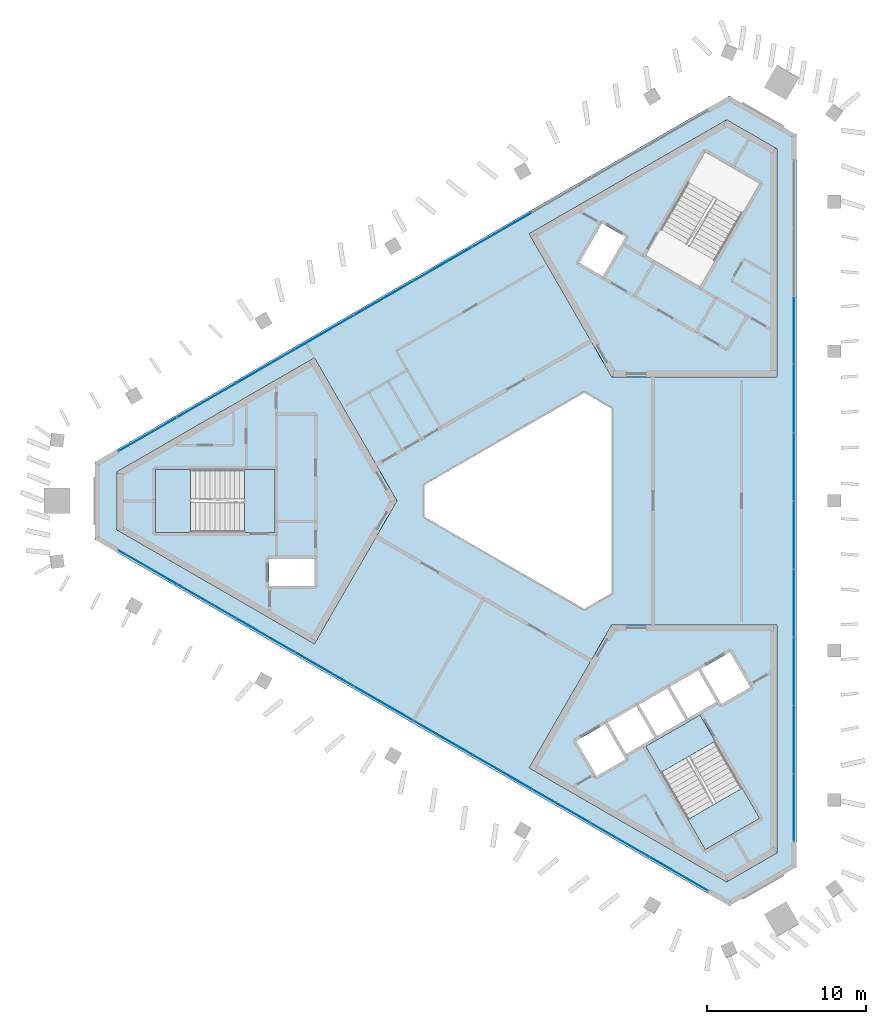
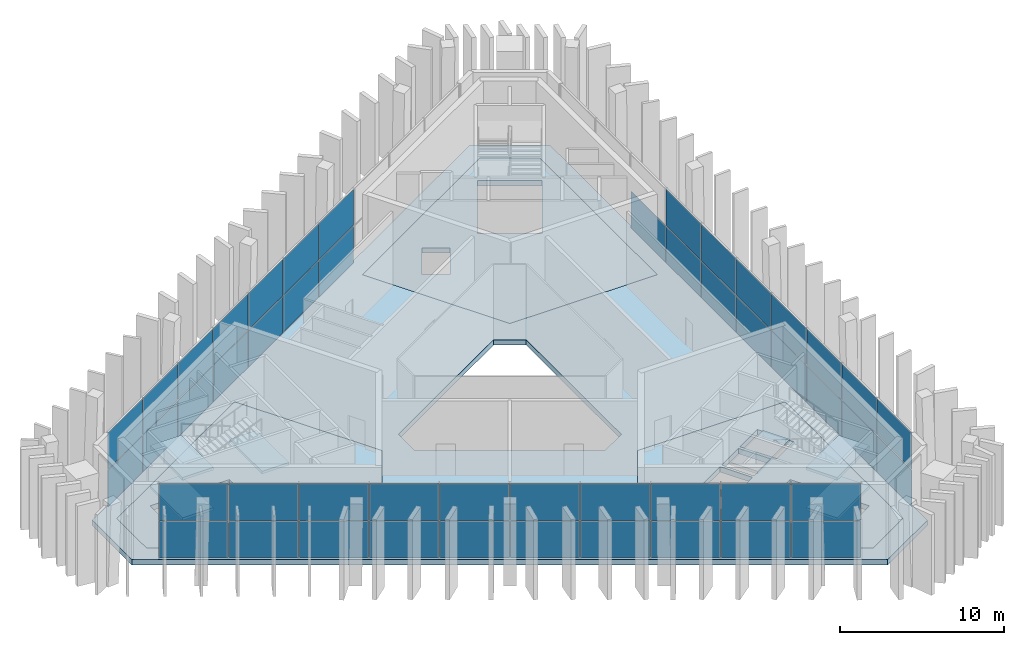
# One storey, part 6 of 12: 49 plates, 10 slabs, 5 elements without a shape of their own.
"""IFC4 building model written with IfcOpenShell, lengths in metres."""

import ifcopenshell
import ifcopenshell.guid

model = None  # the IFC model being written
_history = None  # IfcOwnerHistory: only IFC2X3 demands one
_inside = {}  # id of a spatial element -> (the spatial element, [elements in it])
_under = {}  # id of a project, library or spatial element -> (it, [spatial elements below it])
_declared = {}  # id of a project -> (the project, [libraries it declares])
_typed = {}  # id of a type object -> (the type object, [elements of that type])
_made_of = {}  # id of a material, layer set ... -> (it, [elements and type objects made of it])


def new_model(schema):
    """Start an empty IFC model of exactly this schema.

    Asked for "IFC4X3", IfcOpenShell would pick the latest addendum, in which some entities
    have other attributes; the version numbers below select the first issue.
    IFC2X3 requires an IfcOwnerHistory on every rooted entity: one is made here for all.
    """
    global model, _history
    if schema == "IFC4X3":
        model = ifcopenshell.file(schema_version=(4, 3, 0, 0))
    else:
        model = ifcopenshell.file(schema=schema)
    _inside.clear()
    _under.clear()
    _declared.clear()
    _typed.clear()
    _made_of.clear()
    _history = None
    if model.schema == "IFC2X3":
        org = make("IfcOrganization", Name="unknown")
        user = make(
            "IfcPersonAndOrganization",
            ThePerson=make("IfcPerson", FamilyName="unknown"),
            TheOrganization=org,
        )
        app = make(
            "IfcApplication",
            ApplicationDeveloper=org,
            Version="unknown",
            ApplicationFullName="unknown",
            ApplicationIdentifier="unknown",
        )
        _history = make(
            "IfcOwnerHistory",
            OwningUser=user,
            OwningApplication=app,
            ChangeAction="ADDED",
            CreationDate=0,
        )
    return model


def make(cls, **values):
    """One entity of the class cls with the attributes given. An attribute that is None is left unset."""
    return model.create_entity(
        cls, **{name: value for name, value in values.items() if value is not None}
    )


def rooted(cls, **values):
    """An entity with a GlobalId (a new one), such as an element, a storey or a relation."""
    return make(cls, GlobalId=ifcopenshell.guid.new(), OwnerHistory=_history, **values)


def si_unit(unit_type, name, prefix=None):
    """IfcSIUnit, for example si_unit("LENGTHUNIT", "METRE", prefix="MILLI")."""
    return make("IfcSIUnit", UnitType=unit_type, Prefix=prefix, Name=name)


def assignment(units):
    """IfcUnitAssignment: the units of a project."""
    return None if units is None else make("IfcUnitAssignment", Units=units)


def point(xyz):
    """IfcCartesianPoint."""
    return None if xyz is None else make("IfcCartesianPoint", Coordinates=xyz)


def direction(xyz):
    """IfcDirection."""
    return None if xyz is None else make("IfcDirection", DirectionRatios=xyz)


def frame(location, z_axis=None, x_axis=None):
    """IfcAxis2Placement3D, a coordinate frame: its origin and axes. An axis left out is left unset."""
    return make(
        "IfcAxis2Placement3D",
        Location=point(location),
        Axis=direction(z_axis),
        RefDirection=direction(x_axis),
    )


def frame_2d(location, x_axis=None):
    """IfcAxis2Placement2D, a coordinate frame in the plane: its origin and x axis."""
    return make(
        "IfcAxis2Placement2D", Location=point(location), RefDirection=direction(x_axis)
    )


def origin():
    """The frame at (0, 0, 0) with its axes left unset."""
    return frame((0.0, 0.0, 0.0))


def origin_2d():
    """The frame at (0, 0) in the plane with its x axis left unset."""
    return frame_2d((0.0, 0.0))


def place(relative_to, where):
    """IfcLocalPlacement: puts the frame where relative to a parent placement (None: the world)."""
    return make(
        "IfcLocalPlacement", PlacementRelTo=relative_to, RelativePlacement=where
    )


def context(
    kind, dimensions, precision=None, world=None, true_north=None, identifier=None
):
    """IfcGeometricRepresentationContext, for example the 3D "Model" context."""
    return make(
        "IfcGeometricRepresentationContext",
        ContextIdentifier=identifier,
        ContextType=kind,
        CoordinateSpaceDimension=dimensions,
        Precision=precision,
        WorldCoordinateSystem=world,
        TrueNorth=true_north,
    )


def subcontext(parent, identifier, kind, view, scale=None):
    """IfcGeometricRepresentationSubContext, for example "Body" below "Model"."""
    return make(
        "IfcGeometricRepresentationSubContext",
        ContextIdentifier=identifier,
        ContextType=kind,
        ParentContext=parent,
        TargetScale=scale,
        TargetView=view,
    )


def project(units=None, contexts=None):
    """IfcProject with its units and contexts."""
    return rooted(
        "IfcProject",
        Name="project",
        RepresentationContexts=contexts,
        UnitsInContext=assignment(units),
    )


def spatial(cls, under=None, at=None, **own):
    """A site, building, storey or space (cls), placed at a placement, below another one or the project."""
    s = rooted(cls, ObjectPlacement=at, **own)
    if under is not None:
        _under.setdefault(under.id(), (under, []))[1].append(s)
    return s


def polyline(points):
    """IfcPolyline through the points."""
    return make("IfcPolyline", Points=[point(p) for p in points])


def profile(cls, at=None, kind="AREA", **sizes):
    """A parametric profile (cls). Its sizes go by their IFC names, for example OverallWidth=200.0."""
    return make(cls, ProfileType=kind, Position=at, **sizes)


def rectangle(**sizes):
    """IfcRectangleProfileDef."""
    return profile("IfcRectangleProfileDef", **sizes)


def outline(outer, holes=None, kind="AREA"):
    """IfcArbitraryClosedProfileDef: a profile drawn as a closed curve; with holes, ...WithVoids."""
    if holes is None:
        return make("IfcArbitraryClosedProfileDef", ProfileType=kind, OuterCurve=outer)
    return make(
        "IfcArbitraryProfileDefWithVoids",
        ProfileType=kind,
        OuterCurve=outer,
        InnerCurves=holes,
    )


def extrude(swept, where, along, depth):
    """IfcExtrudedAreaSolid: the profile swept, set in the frame where, extruded along a direction by depth."""
    return make(
        "IfcExtrudedAreaSolid",
        SweptArea=swept,
        Position=where,
        ExtrudedDirection=direction(along),
        Depth=depth,
    )


def shape(context_of_items, identifier, shape_type, items):
    """IfcShapeRepresentation: the items that make up one representation, for example the "Body"."""
    return make(
        "IfcShapeRepresentation",
        ContextOfItems=context_of_items,
        RepresentationIdentifier=identifier,
        RepresentationType=shape_type,
        Items=items,
    )


def material(Name=None, Category=None):
    """IfcMaterial."""
    return make("IfcMaterial", Name=Name, Category=Category)


def layer(
    of_material, thickness, ventilated=None, Name=None, Category=None, Priority=None
):
    """IfcMaterialLayer: one layer of a wall or slab, of a material (None: an air gap)."""
    return make(
        "IfcMaterialLayer",
        Material=of_material,
        LayerThickness=thickness,
        IsVentilated=ventilated,
        Name=Name,
        Category=Category,
        Priority=Priority,
    )


def layer_set(layers, Name=None):
    """IfcMaterialLayerSet."""
    return make("IfcMaterialLayerSet", MaterialLayers=layers, LayerSetName=Name)


def made_of(thing, what):
    """Note that an element or type object is made of a material, layer set ...; save() writes the relation."""
    if what is not None:
        _made_of.setdefault(what.id(), (what, []))[1].append(thing)
    return thing


def type_object(cls, material=None, **own):
    """A type object (cls), such as IfcWallType, which elements share."""
    return made_of(rooted(cls, **own), material)


def element(
    cls,
    number,
    at=None,
    inside=None,
    cuts=None,
    type_object=None,
    material=None,
    context=None,
    identifier="Body",
    shape_type=None,
    held_by="IfcProductDefinitionShape",
    body=None,
    shapes=None,
    **own,
):
    """One element of the class cls, such as IfcWall. Its Tag is "e" and its number.

    at: its placement. inside: the storey or other place that contains it. cuts: it is an
    opening in that element (IfcRelVoidsElement). A single representation is given by context,
    identifier, shape_type and body (its items); several are given by shapes. held_by: the class
    of the entity that holds the representations. save() writes the other relations.
    """
    e = rooted(cls, Tag="e%d" % number, ObjectPlacement=at, **own)
    if body is not None:
        shapes = [shape(context, identifier, shape_type, body)]
    if shapes is not None:
        e.Representation = make(held_by, Representations=shapes)
    if inside is not None:
        _inside.setdefault(inside.id(), (inside, []))[1].append(e)
    if cuts is not None:
        rooted(
            "IfcRelVoidsElement", RelatingBuildingElement=cuts, RelatedOpeningElement=e
        )
    if type_object is not None:
        _typed.setdefault(type_object.id(), (type_object, []))[1].append(e)
    return made_of(e, material)


def aggregate(whole, parts):
    """IfcRelAggregates: a whole, such as a stair, and the parts it consists of."""
    return rooted("IfcRelAggregates", RelatingObject=whole, RelatedObjects=parts)


def save(model, path):
    """Write the relations noted so far, then the file.

    IfcRelAggregates (storeys below a building ...), IfcRelContainedInSpatialStructure (elements
    in a storey), IfcRelDefinesByType, IfcRelAssociatesMaterial and IfcRelDeclares: one each for
    every whole, place, type object, material and project.
    """
    for whole, parts in _under.values():
        aggregate(whole, parts)
    for where, things in _inside.values():
        rooted(
            "IfcRelContainedInSpatialStructure",
            RelatedElements=things,
            RelatingStructure=where,
        )
    for kind, things in _typed.values():
        rooted("IfcRelDefinesByType", RelatedObjects=things, RelatingType=kind)
    for what, things in _made_of.values():
        rooted("IfcRelAssociatesMaterial", RelatedObjects=things, RelatingMaterial=what)
    for by, libraries in _declared.values():
        rooted("IfcRelDeclares", RelatingContext=by, RelatedDefinitions=libraries)
    model.write(path)


model = new_model("IFC4")

# Units and contexts
model_context = context("Model", 3, precision=1e-05, world=origin(), true_north=direction((0.0, 1.0)))
body_context = subcontext(model_context, "Body", "Model", "MODEL_VIEW")
ifc_project = project(units=[si_unit("LENGTHUNIT", "METRE"), si_unit("AREAUNIT", "SQUARE_METRE"), si_unit("VOLUMEUNIT", "CUBIC_METRE"), si_unit("PLANEANGLEUNIT", "RADIAN"), si_unit("MASSUNIT", "GRAM", prefix="KILO")], contexts=[model_context])

# Site, building, storey
site_placement = place(None, origin())
site = spatial("IfcSite", under=ifc_project, at=site_placement, CompositionType="ELEMENT")
building_placement = place(site_placement, origin())
building = spatial("IfcBuilding", under=site, at=building_placement, Name="Jabali Bay Hotel Tower and Convention Centre", CompositionType="ELEMENT")
storey_placement = place(building_placement, frame((0.0, 0.0, 304.800048828125)))
storey = spatial("IfcBuildingStorey", under=building, at=storey_placement, Name="L75", CompositionType="ELEMENT", Elevation=304.800048828125)

# Curtain wall, plates
ifc_material_1 = material(Name="Aluminium and glass", Category="aluminium")
ifc_layer_1 = layer(ifc_material_1, 0.159912109375)
ifc_layer_set_1 = layer_set([ifc_layer_1], Name="Aluminium and glass")
curtain_wall_type = type_object("IfcCurtainWallType", Name="CW3 curtain wall", PredefinedType="NOTDEFINED", material=ifc_layer_set_1)
curtain_wall_1_placement = place(storey_placement, origin())
curtain_wall_1 = element("IfcCurtainWall", 1, at=curtain_wall_1_placement, inside=storey, type_object=curtain_wall_type, Name="CW3 curtain wall east face L75", PredefinedType="NOTDEFINED")
ifc_material_2 = material(Name="Glass", Category="glass")
ifc_layer_2 = layer(ifc_material_2, 0.028076171875)
ifc_layer_set_2 = layer_set([ifc_layer_2], Name="Glass")
plate_type = type_object("IfcPlateType", Name="CW3 glass panel 28", PredefinedType="CURTAIN_PANEL", material=ifc_layer_set_2)
plate_1_placement = place(storey_placement, frame((90.9521484375, 90.71875, 0.06005859375), z_axis=(0.0, 0.0, 1.0), x_axis=(0.0, -1.0, 0.0)))
plate_1 = element("IfcPlate", 2, at=plate_1_placement, type_object=plate_type, Name="CW3 panel 3.1", PredefinedType="CURTAIN_PANEL", context=body_context, shape_type="SweptSolid", body=[
    extrude(rectangle(XDim=4.2275390625, YDim=0.028076171875, at=origin_2d()), origin(), (0.0, 0.0, 1.0), 2.7099609375),
])
plate_2_placement = place(storey_placement, frame((90.9521484375, 86.431396484375, 0.06005859375), z_axis=(0.0, 0.0, 1.0), x_axis=(0.0, -1.0, 0.0)))
plate_2 = element("IfcPlate", 3, at=plate_2_placement, type_object=plate_type, Name="CW3 panel 4.1", PredefinedType="CURTAIN_PANEL", context=body_context, shape_type="SweptSolid", body=[
    extrude(rectangle(XDim=4.2275390625, YDim=0.028076171875, at=origin_2d()), origin(), (0.0, 0.0, 1.0), 2.7099609375),
])
plate_3_placement = place(storey_placement, frame((90.9521484375, 86.431396484375, 2.830078125), z_axis=(0.0, 0.0, 1.0), x_axis=(0.0, -1.0, 0.0)))
plate_3 = element("IfcPlate", 4, at=plate_3_placement, type_object=plate_type, Name="CW3 panel 4.2", PredefinedType="CURTAIN_PANEL", context=body_context, shape_type="SweptSolid", body=[
    extrude(rectangle(XDim=4.2275390625, YDim=0.028076171875, at=origin_2d()), origin(), (0.0, 0.0, 1.0), 2.7099609375),
])
plate_4_placement = place(storey_placement, frame((90.9521484375, 82.143798828125, 0.06005859375), z_axis=(0.0, 0.0, 1.0), x_axis=(0.0, -1.0, 0.0)))
plate_4 = element("IfcPlate", 5, at=plate_4_placement, type_object=plate_type, Name="CW3 panel 5.1", PredefinedType="CURTAIN_PANEL", context=body_context, shape_type="SweptSolid", body=[
    extrude(rectangle(XDim=4.2275390625, YDim=0.028076171875, at=origin_2d()), origin(), (0.0, 0.0, 1.0), 2.7099609375),
])
plate_5_placement = place(storey_placement, frame((90.9521484375, 82.143798828125, 2.830078125), z_axis=(0.0, 0.0, 1.0), x_axis=(0.0, -1.0, 0.0)))
plate_5 = element("IfcPlate", 6, at=plate_5_placement, type_object=plate_type, Name="CW3 panel 5.2", PredefinedType="CURTAIN_PANEL", context=body_context, shape_type="SweptSolid", body=[
    extrude(rectangle(XDim=4.2275390625, YDim=0.028076171875, at=origin_2d()), origin(), (0.0, 0.0, 1.0), 2.7099609375),
])
plate_6_placement = place(storey_placement, frame((90.9521484375, 77.856201171875, 0.06005859375), z_axis=(0.0, 0.0, 1.0), x_axis=(0.0, -1.0, 0.0)))
plate_6 = element("IfcPlate", 7, at=plate_6_placement, type_object=plate_type, Name="CW3 panel 6.1", PredefinedType="CURTAIN_PANEL", context=body_context, shape_type="SweptSolid", body=[
    extrude(rectangle(XDim=4.2275390625, YDim=0.028076171875, at=origin_2d()), origin(), (0.0, 0.0, 1.0), 2.7099609375),
])
plate_7_placement = place(storey_placement, frame((90.9521484375, 77.856201171875, 2.830078125), z_axis=(0.0, 0.0, 1.0), x_axis=(0.0, -1.0, 0.0)))
plate_7 = element("IfcPlate", 8, at=plate_7_placement, type_object=plate_type, Name="CW3 panel 6.2", PredefinedType="CURTAIN_PANEL", context=body_context, shape_type="SweptSolid", body=[
    extrude(rectangle(XDim=4.2275390625, YDim=0.028076171875, at=origin_2d()), origin(), (0.0, 0.0, 1.0), 2.7099609375),
])
plate_8_placement = place(storey_placement, frame((90.9521484375, 73.568603515625, 0.06005859375), z_axis=(0.0, 0.0, 1.0), x_axis=(0.0, -1.0, 0.0)))
plate_8 = element("IfcPlate", 9, at=plate_8_placement, type_object=plate_type, Name="CW3 panel 7.1", PredefinedType="CURTAIN_PANEL", context=body_context, shape_type="SweptSolid", body=[
    extrude(rectangle(XDim=4.2275390625, YDim=0.028076171875, at=origin_2d()), origin(), (0.0, 0.0, 1.0), 2.7099609375),
])
plate_9_placement = place(storey_placement, frame((90.9521484375, 73.568603515625, 2.830078125), z_axis=(0.0, 0.0, 1.0), x_axis=(0.0, -1.0, 0.0)))
plate_9 = element("IfcPlate", 10, at=plate_9_placement, type_object=plate_type, Name="CW3 panel 7.2", PredefinedType="CURTAIN_PANEL", context=body_context, shape_type="SweptSolid", body=[
    extrude(rectangle(XDim=4.2275390625, YDim=0.028076171875, at=origin_2d()), origin(), (0.0, 0.0, 1.0), 2.7099609375),
])
plate_10_placement = place(storey_placement, frame((90.9521484375, 69.28125, 0.06005859375), z_axis=(0.0, 0.0, 1.0), x_axis=(0.0, -1.0, 0.0)))
plate_10 = element("IfcPlate", 11, at=plate_10_placement, type_object=plate_type, Name="CW3 panel 8.1", PredefinedType="CURTAIN_PANEL", context=body_context, shape_type="SweptSolid", body=[
    extrude(rectangle(XDim=4.2275390625, YDim=0.028076171875, at=origin_2d()), origin(), (0.0, 0.0, 1.0), 2.7099609375),
])
plate_11_placement = place(storey_placement, frame((90.9521484375, 69.28125, 2.830078125), z_axis=(0.0, 0.0, 1.0), x_axis=(0.0, -1.0, 0.0)))
plate_11 = element("IfcPlate", 12, at=plate_11_placement, type_object=plate_type, Name="CW3 panel 8.2", PredefinedType="CURTAIN_PANEL", context=body_context, shape_type="SweptSolid", body=[
    extrude(rectangle(XDim=4.2275390625, YDim=0.028076171875, at=origin_2d()), origin(), (0.0, 0.0, 1.0), 2.7099609375),
])
plate_12_placement = place(storey_placement, frame((90.9521484375, 64.99365234375, 0.06005859375), z_axis=(0.0, 0.0, 1.0), x_axis=(0.0, -1.0, 0.0)))
plate_12 = element("IfcPlate", 13, at=plate_12_placement, type_object=plate_type, Name="CW3 panel 9.1", PredefinedType="CURTAIN_PANEL", context=body_context, shape_type="SweptSolid", body=[
    extrude(rectangle(XDim=4.2275390625, YDim=0.028076171875, at=origin_2d()), origin(), (0.0, 0.0, 1.0), 2.7099609375),
])
plate_13_placement = place(storey_placement, frame((90.9521484375, 64.99365234375, 2.830078125), z_axis=(0.0, 0.0, 1.0), x_axis=(0.0, -1.0, 0.0)))
plate_13 = element("IfcPlate", 14, at=plate_13_placement, type_object=plate_type, Name="CW3 panel 9.2", PredefinedType="CURTAIN_PANEL", context=body_context, shape_type="SweptSolid", body=[
    extrude(rectangle(XDim=4.2275390625, YDim=0.028076171875, at=origin_2d()), origin(), (0.0, 0.0, 1.0), 2.7099609375),
])
plate_14_placement = place(storey_placement, frame((90.9521484375, 60.72119140625, 0.06005859375), z_axis=(0.0, 0.0, 1.0), x_axis=(0.0, -1.0, 0.0)))
plate_14 = element("IfcPlate", 15, at=plate_14_placement, type_object=plate_type, Name="CW3 panel 10.1", PredefinedType="CURTAIN_PANEL", context=body_context, shape_type="SweptSolid", body=[
    extrude(rectangle(XDim=4.197509765625, YDim=0.028076171875, at=origin_2d()), origin(), (0.0, 0.0, 1.0), 2.7099609375),
])
plate_15_placement = place(storey_placement, frame((90.9521484375, 60.72119140625, 2.830078125), z_axis=(0.0, 0.0, 1.0), x_axis=(0.0, -1.0, 0.0)))
plate_15 = element("IfcPlate", 16, at=plate_15_placement, type_object=plate_type, Name="CW3 panel 10.2", PredefinedType="CURTAIN_PANEL", context=body_context, shape_type="SweptSolid", body=[
    extrude(rectangle(XDim=4.197509765625, YDim=0.028076171875, at=origin_2d()), origin(), (0.0, 0.0, 1.0), 2.7099609375),
])
aggregate(curtain_wall_1, [plate_1, plate_2, plate_3, plate_4, plate_5, plate_6, plate_7, plate_8, plate_9, plate_10, plate_11, plate_12, plate_13, plate_14, plate_15])

curtain_wall_2_placement = place(storey_placement, origin())
curtain_wall_2 = element("IfcCurtainWall", 17, at=curtain_wall_2_placement, inside=storey, type_object=curtain_wall_type, Name="CW3 curtain wall north-west face L75", PredefinedType="NOTDEFINED")
plate_16_placement = place(storey_placement, frame((50.328125, 84.175537109375, 0.06005859375), z_axis=(0.0, 0.0, 1.0), x_axis=(0.866025396079, 0.500000013347, 0.0)))
plate_16 = element("IfcPlate", 18, at=plate_16_placement, type_object=plate_type, Name="CW3 panel 1.1", PredefinedType="CURTAIN_PANEL", context=body_context, shape_type="SweptSolid", body=[
    extrude(rectangle(XDim=4.197509765625, YDim=0.028076171875, at=origin_2d()), origin(), (0.0, 0.0, 1.0), 2.7099609375),
])
plate_17_placement = place(storey_placement, frame((50.328125, 84.175537109375, 2.830078125), z_axis=(0.0, 0.0, 1.0), x_axis=(0.866025396079, 0.500000013347, 0.0)))
plate_17 = element("IfcPlate", 19, at=plate_17_placement, type_object=plate_type, Name="CW3 panel 1.2", PredefinedType="CURTAIN_PANEL", context=body_context, shape_type="SweptSolid", body=[
    extrude(rectangle(XDim=4.197509765625, YDim=0.028076171875, at=origin_2d()), origin(), (0.0, 0.0, 1.0), 2.7099609375),
])
plate_18_placement = place(storey_placement, frame((54.028076171875, 86.311767578125, 0.06005859375), z_axis=(0.0, 0.0, 1.0), x_axis=(0.866025396079, 0.500000013347, 0.0)))
plate_18 = element("IfcPlate", 20, at=plate_18_placement, type_object=plate_type, Name="CW3 panel 2.1", PredefinedType="CURTAIN_PANEL", context=body_context, shape_type="SweptSolid", body=[
    extrude(rectangle(XDim=4.2275390625, YDim=0.028076171875, at=origin_2d()), origin(), (0.0, 0.0, 1.0), 2.7099609375),
])
plate_19_placement = place(storey_placement, frame((54.028076171875, 86.311767578125, 2.830078125), z_axis=(0.0, 0.0, 1.0), x_axis=(0.866025396079, 0.500000013347, 0.0)))
plate_19 = element("IfcPlate", 21, at=plate_19_placement, type_object=plate_type, Name="CW3 panel 2.2", PredefinedType="CURTAIN_PANEL", context=body_context, shape_type="SweptSolid", body=[
    extrude(rectangle(XDim=4.2275390625, YDim=0.028076171875, at=origin_2d()), origin(), (0.0, 0.0, 1.0), 2.7099609375),
])
plate_20_placement = place(storey_placement, frame((57.7412109375, 88.45556640625, 0.06005859375), z_axis=(0.0, 0.0, 1.0), x_axis=(0.866025396079, 0.500000013347, 0.0)))
plate_20 = element("IfcPlate", 22, at=plate_20_placement, type_object=plate_type, Name="CW3 panel 3.1", PredefinedType="CURTAIN_PANEL", context=body_context, shape_type="SweptSolid", body=[
    extrude(rectangle(XDim=4.2275390625, YDim=0.028076171875, at=origin_2d()), origin(), (0.0, 0.0, 1.0), 2.7099609375),
])
plate_21_placement = place(storey_placement, frame((57.7412109375, 88.45556640625, 2.830078125), z_axis=(0.0, 0.0, 1.0), x_axis=(0.866025396079, 0.500000013347, 0.0)))
plate_21 = element("IfcPlate", 23, at=plate_21_placement, type_object=plate_type, Name="CW3 panel 3.2", PredefinedType="CURTAIN_PANEL", context=body_context, shape_type="SweptSolid", body=[
    extrude(rectangle(XDim=4.2275390625, YDim=0.028076171875, at=origin_2d()), origin(), (0.0, 0.0, 1.0), 2.7099609375),
])
plate_22_placement = place(storey_placement, frame((61.454345703125, 90.599365234375, 0.06005859375), z_axis=(0.0, 0.0, 1.0), x_axis=(0.866025396079, 0.500000013347, 0.0)))
plate_22 = element("IfcPlate", 24, at=plate_22_placement, type_object=plate_type, Name="CW3 panel 4.1", PredefinedType="CURTAIN_PANEL", context=body_context, shape_type="SweptSolid", body=[
    extrude(rectangle(XDim=4.2275390625, YDim=0.028076171875, at=origin_2d()), origin(), (0.0, 0.0, 1.0), 2.7099609375),
])
plate_23_placement = place(storey_placement, frame((61.454345703125, 90.599365234375, 2.830078125), z_axis=(0.0, 0.0, 1.0), x_axis=(0.866025396079, 0.500000013347, 0.0)))
plate_23 = element("IfcPlate", 25, at=plate_23_placement, type_object=plate_type, Name="CW3 panel 4.2", PredefinedType="CURTAIN_PANEL", context=body_context, shape_type="SweptSolid", body=[
    extrude(rectangle(XDim=4.2275390625, YDim=0.028076171875, at=origin_2d()), origin(), (0.0, 0.0, 1.0), 2.7099609375),
])
plate_24_placement = place(storey_placement, frame((65.16748046875, 92.742919921875, 0.06005859375), z_axis=(0.0, 0.0, 1.0), x_axis=(0.866025396079, 0.500000013347, 0.0)))
plate_24 = element("IfcPlate", 26, at=plate_24_placement, type_object=plate_type, Name="CW3 panel 5.1", PredefinedType="CURTAIN_PANEL", context=body_context, shape_type="SweptSolid", body=[
    extrude(rectangle(XDim=4.2275390625, YDim=0.028076171875, at=origin_2d()), origin(), (0.0, 0.0, 1.0), 2.7099609375),
])
plate_25_placement = place(storey_placement, frame((65.16748046875, 92.742919921875, 2.830078125), z_axis=(0.0, 0.0, 1.0), x_axis=(0.866025396079, 0.500000013347, 0.0)))
plate_25 = element("IfcPlate", 27, at=plate_25_placement, type_object=plate_type, Name="CW3 panel 5.2", PredefinedType="CURTAIN_PANEL", context=body_context, shape_type="SweptSolid", body=[
    extrude(rectangle(XDim=4.2275390625, YDim=0.028076171875, at=origin_2d()), origin(), (0.0, 0.0, 1.0), 2.7099609375),
])
plate_26_placement = place(storey_placement, frame((68.880615234375, 94.88671875, 0.06005859375), z_axis=(0.0, 0.0, 1.0), x_axis=(0.866025396079, 0.500000013347, 0.0)))
plate_26 = element("IfcPlate", 28, at=plate_26_placement, type_object=plate_type, Name="CW3 panel 6.1", PredefinedType="CURTAIN_PANEL", context=body_context, shape_type="SweptSolid", body=[
    extrude(rectangle(XDim=4.2275390625, YDim=0.028076171875, at=origin_2d()), origin(), (0.0, 0.0, 1.0), 2.7099609375),
])
plate_27_placement = place(storey_placement, frame((68.880615234375, 94.88671875, 2.830078125), z_axis=(0.0, 0.0, 1.0), x_axis=(0.866025396079, 0.500000013347, 0.0)))
plate_27 = element("IfcPlate", 29, at=plate_27_placement, type_object=plate_type, Name="CW3 panel 6.2", PredefinedType="CURTAIN_PANEL", context=body_context, shape_type="SweptSolid", body=[
    extrude(rectangle(XDim=4.2275390625, YDim=0.028076171875, at=origin_2d()), origin(), (0.0, 0.0, 1.0), 2.7099609375),
])
plate_28_placement = place(storey_placement, frame((72.593505859375, 97.030517578125, 0.06005859375), z_axis=(0.0, 0.0, 1.0), x_axis=(0.866025396079, 0.500000013347, 0.0)))
plate_28 = element("IfcPlate", 30, at=plate_28_placement, type_object=plate_type, Name="CW3 panel 7.1", PredefinedType="CURTAIN_PANEL", context=body_context, shape_type="SweptSolid", body=[
    extrude(rectangle(XDim=4.2275390625, YDim=0.028076171875, at=origin_2d()), origin(), (0.0, 0.0, 1.0), 2.7099609375),
])
plate_29_placement = place(storey_placement, frame((72.593505859375, 97.030517578125, 2.830078125), z_axis=(0.0, 0.0, 1.0), x_axis=(0.866025396079, 0.500000013347, 0.0)))
plate_29 = element("IfcPlate", 31, at=plate_29_placement, type_object=plate_type, Name="CW3 panel 7.2", PredefinedType="CURTAIN_PANEL", context=body_context, shape_type="SweptSolid", body=[
    extrude(rectangle(XDim=4.2275390625, YDim=0.028076171875, at=origin_2d()), origin(), (0.0, 0.0, 1.0), 2.7099609375),
])
aggregate(curtain_wall_2, [plate_16, plate_17, plate_18, plate_19, plate_20, plate_21, plate_22, plate_23, plate_24, plate_25, plate_26, plate_27, plate_28, plate_29])

curtain_wall_3_placement = place(storey_placement, origin())
curtain_wall_3 = element("IfcCurtainWall", 32, at=curtain_wall_3_placement, inside=storey, type_object=curtain_wall_type, Name="CW3 curtain wall south-west face L75", PredefinedType="NOTDEFINED")
plate_30_placement = place(storey_placement, frame((83.719970703125, 56.545654296875, 0.06005859375), z_axis=(0.0, 0.0, 1.0), x_axis=(-0.866025396079, 0.500000013347, 0.0)))
plate_30 = element("IfcPlate", 33, at=plate_30_placement, type_object=plate_type, Name="CW3 panel 1.1", PredefinedType="CURTAIN_PANEL", context=body_context, shape_type="SweptSolid", body=[
    extrude(rectangle(XDim=4.197509765625, YDim=0.028076171875, at=origin_2d()), origin(), (0.0, 0.0, 1.0), 2.7099609375),
])
plate_31_placement = place(storey_placement, frame((83.719970703125, 56.545654296875, 2.830078125), z_axis=(0.0, 0.0, 1.0), x_axis=(-0.866025396079, 0.500000013347, 0.0)))
plate_31 = element("IfcPlate", 34, at=plate_31_placement, type_object=plate_type, Name="CW3 panel 1.2", PredefinedType="CURTAIN_PANEL", context=body_context, shape_type="SweptSolid", body=[
    extrude(rectangle(XDim=4.197509765625, YDim=0.028076171875, at=origin_2d()), origin(), (0.0, 0.0, 1.0), 2.7099609375),
])
plate_32_placement = place(storey_placement, frame((80.019775390625, 58.681884765625, 0.06005859375), z_axis=(0.0, 0.0, 1.0), x_axis=(-0.866025396079, 0.500000013347, 0.0)))
plate_32 = element("IfcPlate", 35, at=plate_32_placement, type_object=plate_type, Name="CW3 panel 2.1", PredefinedType="CURTAIN_PANEL", context=body_context, shape_type="SweptSolid", body=[
    extrude(rectangle(XDim=4.2275390625, YDim=0.028076171875, at=origin_2d()), origin(), (0.0, 0.0, 1.0), 2.7099609375),
])
plate_33_placement = place(storey_placement, frame((80.019775390625, 58.681884765625, 2.830078125), z_axis=(0.0, 0.0, 1.0), x_axis=(-0.866025396079, 0.500000013347, 0.0)))
plate_33 = element("IfcPlate", 36, at=plate_33_placement, type_object=plate_type, Name="CW3 panel 2.2", PredefinedType="CURTAIN_PANEL", context=body_context, shape_type="SweptSolid", body=[
    extrude(rectangle(XDim=4.2275390625, YDim=0.028076171875, at=origin_2d()), origin(), (0.0, 0.0, 1.0), 2.7099609375),
])
plate_34_placement = place(storey_placement, frame((76.306640625, 60.82568359375, 0.06005859375), z_axis=(0.0, 0.0, 1.0), x_axis=(-0.866025396079, 0.500000013347, 0.0)))
plate_34 = element("IfcPlate", 37, at=plate_34_placement, type_object=plate_type, Name="CW3 panel 3.1", PredefinedType="CURTAIN_PANEL", context=body_context, shape_type="SweptSolid", body=[
    extrude(rectangle(XDim=4.2275390625, YDim=0.028076171875, at=origin_2d()), origin(), (0.0, 0.0, 1.0), 2.7099609375),
])
plate_35_placement = place(storey_placement, frame((76.306640625, 60.82568359375, 2.830078125), z_axis=(0.0, 0.0, 1.0), x_axis=(-0.866025396079, 0.500000013347, 0.0)))
plate_35 = element("IfcPlate", 38, at=plate_35_placement, type_object=plate_type, Name="CW3 panel 3.2", PredefinedType="CURTAIN_PANEL", context=body_context, shape_type="SweptSolid", body=[
    extrude(rectangle(XDim=4.2275390625, YDim=0.028076171875, at=origin_2d()), origin(), (0.0, 0.0, 1.0), 2.7099609375),
])
plate_36_placement = place(storey_placement, frame((72.593505859375, 62.969482421875, 0.06005859375), z_axis=(0.0, 0.0, 1.0), x_axis=(-0.866025396079, 0.500000013347, 0.0)))
plate_36 = element("IfcPlate", 39, at=plate_36_placement, type_object=plate_type, Name="CW3 panel 4.1", PredefinedType="CURTAIN_PANEL", context=body_context, shape_type="SweptSolid", body=[
    extrude(rectangle(XDim=4.2275390625, YDim=0.028076171875, at=origin_2d()), origin(), (0.0, 0.0, 1.0), 2.7099609375),
])
plate_37_placement = place(storey_placement, frame((72.593505859375, 62.969482421875, 2.830078125), z_axis=(0.0, 0.0, 1.0), x_axis=(-0.866025396079, 0.500000013347, 0.0)))
plate_37 = element("IfcPlate", 40, at=plate_37_placement, type_object=plate_type, Name="CW3 panel 4.2", PredefinedType="CURTAIN_PANEL", context=body_context, shape_type="SweptSolid", body=[
    extrude(rectangle(XDim=4.2275390625, YDim=0.028076171875, at=origin_2d()), origin(), (0.0, 0.0, 1.0), 2.7099609375),
])
plate_38_placement = place(storey_placement, frame((68.880615234375, 65.11328125, 0.06005859375), z_axis=(0.0, 0.0, 1.0), x_axis=(-0.866025396079, 0.500000013347, 0.0)))
plate_38 = element("IfcPlate", 41, at=plate_38_placement, type_object=plate_type, Name="CW3 panel 5.1", PredefinedType="CURTAIN_PANEL", context=body_context, shape_type="SweptSolid", body=[
    extrude(rectangle(XDim=4.2275390625, YDim=0.028076171875, at=origin_2d()), origin(), (0.0, 0.0, 1.0), 2.7099609375),
])
plate_39_placement = place(storey_placement, frame((68.880615234375, 65.11328125, 2.830078125), z_axis=(0.0, 0.0, 1.0), x_axis=(-0.866025396079, 0.500000013347, 0.0)))
plate_39 = element("IfcPlate", 42, at=plate_39_placement, type_object=plate_type, Name="CW3 panel 5.2", PredefinedType="CURTAIN_PANEL", context=body_context, shape_type="SweptSolid", body=[
    extrude(rectangle(XDim=4.2275390625, YDim=0.028076171875, at=origin_2d()), origin(), (0.0, 0.0, 1.0), 2.7099609375),
])
plate_40_placement = place(storey_placement, frame((65.16748046875, 67.257080078125, 0.06005859375), z_axis=(0.0, 0.0, 1.0), x_axis=(-0.866025396079, 0.500000013347, 0.0)))
plate_40 = element("IfcPlate", 43, at=plate_40_placement, type_object=plate_type, Name="CW3 panel 6.1", PredefinedType="CURTAIN_PANEL", context=body_context, shape_type="SweptSolid", body=[
    extrude(rectangle(XDim=4.2275390625, YDim=0.028076171875, at=origin_2d()), origin(), (0.0, 0.0, 1.0), 2.7099609375),
])
plate_41_placement = place(storey_placement, frame((65.16748046875, 67.257080078125, 2.830078125), z_axis=(0.0, 0.0, 1.0), x_axis=(-0.866025396079, 0.500000013347, 0.0)))
plate_41 = element("IfcPlate", 44, at=plate_41_placement, type_object=plate_type, Name="CW3 panel 6.2", PredefinedType="CURTAIN_PANEL", context=body_context, shape_type="SweptSolid", body=[
    extrude(rectangle(XDim=4.2275390625, YDim=0.028076171875, at=origin_2d()), origin(), (0.0, 0.0, 1.0), 2.7099609375),
])
plate_42_placement = place(storey_placement, frame((61.454345703125, 69.400634765625, 0.06005859375), z_axis=(0.0, 0.0, 1.0), x_axis=(-0.866025396079, 0.500000013347, 0.0)))
plate_42 = element("IfcPlate", 45, at=plate_42_placement, type_object=plate_type, Name="CW3 panel 7.1", PredefinedType="CURTAIN_PANEL", context=body_context, shape_type="SweptSolid", body=[
    extrude(rectangle(XDim=4.2275390625, YDim=0.028076171875, at=origin_2d()), origin(), (0.0, 0.0, 1.0), 2.7099609375),
])
plate_43_placement = place(storey_placement, frame((61.454345703125, 69.400634765625, 2.830078125), z_axis=(0.0, 0.0, 1.0), x_axis=(-0.866025396079, 0.500000013347, 0.0)))
plate_43 = element("IfcPlate", 46, at=plate_43_placement, type_object=plate_type, Name="CW3 panel 7.2", PredefinedType="CURTAIN_PANEL", context=body_context, shape_type="SweptSolid", body=[
    extrude(rectangle(XDim=4.2275390625, YDim=0.028076171875, at=origin_2d()), origin(), (0.0, 0.0, 1.0), 2.7099609375),
])
plate_44_placement = place(storey_placement, frame((57.7412109375, 71.54443359375, 0.06005859375), z_axis=(0.0, 0.0, 1.0), x_axis=(-0.866025396079, 0.500000013347, 0.0)))
plate_44 = element("IfcPlate", 47, at=plate_44_placement, type_object=plate_type, Name="CW3 panel 8.1", PredefinedType="CURTAIN_PANEL", context=body_context, shape_type="SweptSolid", body=[
    extrude(rectangle(XDim=4.2275390625, YDim=0.028076171875, at=origin_2d()), origin(), (0.0, 0.0, 1.0), 2.7099609375),
])
plate_45_placement = place(storey_placement, frame((57.7412109375, 71.54443359375, 2.830078125), z_axis=(0.0, 0.0, 1.0), x_axis=(-0.866025396079, 0.500000013347, 0.0)))
plate_45 = element("IfcPlate", 48, at=plate_45_placement, type_object=plate_type, Name="CW3 panel 8.2", PredefinedType="CURTAIN_PANEL", context=body_context, shape_type="SweptSolid", body=[
    extrude(rectangle(XDim=4.2275390625, YDim=0.028076171875, at=origin_2d()), origin(), (0.0, 0.0, 1.0), 2.7099609375),
])
plate_46_placement = place(storey_placement, frame((54.028076171875, 73.688232421875, 0.06005859375), z_axis=(0.0, 0.0, 1.0), x_axis=(-0.866025396079, 0.500000013347, 0.0)))
plate_46 = element("IfcPlate", 49, at=plate_46_placement, type_object=plate_type, Name="CW3 panel 9.1", PredefinedType="CURTAIN_PANEL", context=body_context, shape_type="SweptSolid", body=[
    extrude(rectangle(XDim=4.2275390625, YDim=0.028076171875, at=origin_2d()), origin(), (0.0, 0.0, 1.0), 2.7099609375),
])
plate_47_placement = place(storey_placement, frame((54.028076171875, 73.688232421875, 2.830078125), z_axis=(0.0, 0.0, 1.0), x_axis=(-0.866025396079, 0.500000013347, 0.0)))
plate_47 = element("IfcPlate", 50, at=plate_47_placement, type_object=plate_type, Name="CW3 panel 9.2", PredefinedType="CURTAIN_PANEL", context=body_context, shape_type="SweptSolid", body=[
    extrude(rectangle(XDim=4.2275390625, YDim=0.028076171875, at=origin_2d()), origin(), (0.0, 0.0, 1.0), 2.7099609375),
])
plate_48_placement = place(storey_placement, frame((50.328125, 75.824462890625, 0.06005859375), z_axis=(0.0, 0.0, 1.0), x_axis=(-0.866025396079, 0.500000013347, 0.0)))
plate_48 = element("IfcPlate", 51, at=plate_48_placement, type_object=plate_type, Name="CW3 panel 10.1", PredefinedType="CURTAIN_PANEL", context=body_context, shape_type="SweptSolid", body=[
    extrude(rectangle(XDim=4.197509765625, YDim=0.028076171875, at=origin_2d()), origin(), (0.0, 0.0, 1.0), 2.7099609375),
])
plate_49_placement = place(storey_placement, frame((50.328125, 75.824462890625, 2.830078125), z_axis=(0.0, 0.0, 1.0), x_axis=(-0.866025396079, 0.500000013347, 0.0)))
plate_49 = element("IfcPlate", 52, at=plate_49_placement, type_object=plate_type, Name="CW3 panel 10.2", PredefinedType="CURTAIN_PANEL", context=body_context, shape_type="SweptSolid", body=[
    extrude(rectangle(XDim=4.197509765625, YDim=0.028076171875, at=origin_2d()), origin(), (0.0, 0.0, 1.0), 2.7099609375),
])
aggregate(curtain_wall_3, [plate_30, plate_31, plate_32, plate_33, plate_34, plate_35, plate_36, plate_37, plate_38, plate_39, plate_40, plate_41, plate_42, plate_43, plate_44, plate_45, plate_46, plate_47, plate_48, plate_49])

# Slabs
ifc_material_3 = material(Name="Concrete C40", Category="concrete")
ifc_layer_3 = layer(ifc_material_3, 0.39990234375)
ifc_layer_set_3 = layer_set([ifc_layer_3], Name="Concrete C40")
slab_type_1 = type_object("IfcSlabType", Name="Core floor slab 400", PredefinedType="FLOOR", material=ifc_layer_set_3)
slab_1_placement = place(storey_placement, frame((0.0, 0.0, -0.400146484375)))
element("IfcSlab", 53, at=slab_1_placement, inside=storey, type_object=slab_type_1, Name="Core floor slab 1 L75", PredefinedType="FLOOR", context=body_context, shape_type="SweptSolid", body=[
    extrude(outline(polyline([(66.0, 80.0), (60.81005859375, 88.9892578125), (48.39697265625, 81.82275390625), (48.39697265625, 78.17724609375), (60.81005859375, 71.0107421875), (66.0, 80.0)]), holes=[polyline([(60.800048828125, 76.35009765625), (57.949951171875, 76.35009765625), (57.949951171875, 74.64990234375), (60.800048828125, 74.64990234375), (60.800048828125, 76.35009765625)]), polyline([(50.820068359375, 81.97509765625), (50.820068359375, 78.02490234375), (56.409912109375, 78.02490234375), (56.409912109375, 81.97509765625), (50.820068359375, 81.97509765625)])]), origin(), (0.0, 0.0, 1.0), 0.400146484375),
])
slab_2_placement = place(storey_placement, frame((0.0, 0.0, -0.400146484375)))
element("IfcSlab", 54, at=slab_2_placement, inside=storey, type_object=slab_type_1, Name="Core floor slab 2 L75", PredefinedType="FLOOR", context=body_context, shape_type="SweptSolid", body=[
    extrude(outline(polyline([(79.5, 87.794189453125), (89.8798828125, 87.794189453125), (89.8798828125, 102.127685546875), (86.72314453125, 103.9501953125), (74.31005859375, 96.78369140625), (79.5, 87.794189453125)]), holes=[polyline([(78.93896484375, 94.12255859375), (80.364013671875, 96.5908203125), (78.891845703125, 97.440673828125), (77.466796875, 94.97265625), (78.93896484375, 94.12255859375)]), polyline([(88.80029296875, 99.952880859375), (85.379638671875, 101.927978515625), (82.584716796875, 97.0869140625), (86.00537109375, 95.11181640625), (88.80029296875, 99.952880859375)])]), origin(), (0.0, 0.0, 1.0), 0.400146484375),
])
slab_3_placement = place(storey_placement, frame((0.0, 0.0, -0.400146484375)))
element("IfcSlab", 55, at=slab_3_placement, inside=storey, type_object=slab_type_1, Name="Core floor slab 3 L75", PredefinedType="FLOOR", context=body_context, shape_type="SweptSolid", body=[
    extrude(outline(polyline([(79.5, 72.205810546875), (74.31005859375, 63.21630859375), (86.72314453125, 56.0498046875), (89.8798828125, 57.872314453125), (89.8798828125, 72.205810546875), (79.5, 72.205810546875)]), holes=[polyline([(82.584716796875, 62.9130859375), (85.379638671875, 58.072021484375), (88.80029296875, 60.047119140625), (86.00537109375, 64.88818359375), (82.584716796875, 62.9130859375)]), polyline([(80.365478515625, 63.756591796875), (79.090576171875, 65.96484375), (77.27197265625, 64.9150390625), (78.546875, 62.70654296875), (80.365478515625, 63.756591796875)]), polyline([(82.17919921875, 65.115478515625), (81.0390625, 67.08984375), (79.263671875, 66.06494140625), (80.40380859375, 64.09033203125), (82.17919921875, 65.115478515625)]), polyline([(82.98779296875, 68.21484375), (81.21240234375, 67.18994140625), (82.352294921875, 65.21533203125), (84.127685546875, 66.240478515625), (82.98779296875, 68.21484375)]), polyline([(86.076171875, 67.365478515625), (84.936279296875, 69.33984375), (83.160888671875, 68.31494140625), (84.30078125, 66.34033203125), (86.076171875, 67.365478515625)]), polyline([(88.203125, 68.281494140625), (86.927978515625, 70.489990234375), (85.109375, 69.43994140625), (86.384521484375, 67.231689453125), (88.203125, 68.281494140625)])]), origin(), (0.0, 0.0, 1.0), 0.400146484375),
])
ifc_layer_4 = layer(ifc_material_3, 0.39990234375)
ifc_layer_set_4 = layer_set([ifc_layer_4], Name="Concrete C40")
slab_type_2 = type_object("IfcSlabType", Name="Post-tensioned flat slab 400", PredefinedType="FLOOR", material=ifc_layer_set_4)
slab_4_placement = place(storey_placement, frame((0.0, 0.0, -0.400146484375)))
element("IfcSlab", 56, at=slab_4_placement, inside=storey, type_object=slab_type_2, Name="Floor slab L75", PredefinedType="FLOOR", context=body_context, shape_type="SweptSolid", body=[
    extrude(outline(polyline([(86.888427734375, 105.456787109375), (91.10205078125, 103.024169921875), (91.10205078125, 56.975830078125), (86.888427734375, 54.543212890625), (47.009521484375, 77.5673828125), (47.009521484375, 82.4326171875), (86.888427734375, 105.456787109375)]), holes=[polyline([(67.73193359375, 79.0), (77.76806640625, 73.205810546875), (79.5, 74.205810546875), (79.5, 85.794189453125), (77.76806640625, 86.794189453125), (67.73193359375, 81.0), (67.73193359375, 79.0)]), polyline([(48.39697265625, 78.17724609375), (60.81005859375, 71.0107421875), (66.0, 80.0), (60.81005859375, 88.9892578125), (48.39697265625, 81.82275390625), (48.39697265625, 78.17724609375)]), polyline([(89.8798828125, 102.127685546875), (86.72314453125, 103.9501953125), (74.31005859375, 96.78369140625), (79.5, 87.794189453125), (89.8798828125, 87.794189453125), (89.8798828125, 102.127685546875)]), polyline([(74.31005859375, 63.21630859375), (86.72314453125, 56.0498046875), (89.8798828125, 57.872314453125), (89.8798828125, 72.205810546875), (79.5, 72.205810546875), (74.31005859375, 63.21630859375)])]), origin(), (0.0, 0.0, 1.0), 0.400146484375),
])

# Stair, slabs
stair_type = type_object("IfcStairType", Name="Exit stair 1900", PredefinedType="HALF_TURN_STAIR", material=ifc_material_3)
stair_1_placement = place(storey_placement, origin())
stair_1 = element("IfcStair", 57, at=stair_1_placement, inside=storey, type_object=stair_type, Name="L75 Exit Stair 1", PredefinedType="HALF_TURN_STAIR")
ifc_layer_5 = layer(ifc_material_3, 0.199951171875)
ifc_layer_set_5 = layer_set([ifc_layer_5], Name="Concrete C40")
slab_type_3 = type_object("IfcSlabType", Name="Stair landing 200", PredefinedType="LANDING", material=ifc_layer_set_5)
slab_5_placement = place(storey_placement, frame((0.0, 0.0, 1.300048828125)))
slab_5 = element("IfcSlab", 58, at=slab_5_placement, type_object=slab_type_3, Name="ST1 landing 1", PredefinedType="LANDING", context=body_context, shape_type="SweptSolid", body=[
    extrude(outline(polyline([(53.012939453125, 81.97509765625), (50.820068359375, 81.97509765625), (50.820068359375, 78.02490234375), (53.012939453125, 78.02490234375), (53.012939453125, 81.97509765625)])), origin(), (0.0, 0.0, 1.0), 0.199951171875),
])
slab_6_placement = place(storey_placement, frame((0.0, 0.0, 2.800048828125)))
slab_6 = element("IfcSlab", 59, at=slab_6_placement, type_object=slab_type_3, Name="ST1 landing 2", PredefinedType="LANDING", context=body_context, shape_type="SweptSolid", body=[
    extrude(outline(polyline([(58.320068359375, 81.97509765625), (56.4169921875, 81.97509765625), (56.4169921875, 78.02490234375), (58.320068359375, 78.02490234375), (58.320068359375, 81.97509765625)])), origin(), (0.0, 0.0, 1.0), 0.199951171875),
])
slab_7_placement = place(storey_placement, frame((0.0, 0.0, 4.300048828125)))
slab_7 = element("IfcSlab", 60, at=slab_7_placement, type_object=slab_type_3, Name="ST1 landing 3", PredefinedType="LANDING", context=body_context, shape_type="SweptSolid", body=[
    extrude(outline(polyline([(53.012939453125, 81.97509765625), (50.820068359375, 81.97509765625), (50.820068359375, 78.02490234375), (53.012939453125, 78.02490234375), (53.012939453125, 81.97509765625)])), origin(), (0.0, 0.0, 1.0), 0.199951171875),
])
aggregate(stair_1, [slab_5, slab_6, slab_7])

stair_2_placement = place(storey_placement, origin())
stair_2 = element("IfcStair", 61, at=stair_2_placement, inside=storey, type_object=stair_type, Name="L75 Exit Stair 3", PredefinedType="HALF_TURN_STAIR")
slab_8_placement = place(storey_placement, frame((0.0, 0.0, 1.300048828125)))
slab_8 = element("IfcSlab", 62, at=slab_8_placement, type_object=slab_type_3, Name="ST3 landing 1", PredefinedType="LANDING", context=body_context, shape_type="SweptSolid", body=[
    extrude(outline(polyline([(84.283203125, 59.97119140625), (85.379638671875, 58.072021484375), (88.80029296875, 60.047119140625), (87.703857421875, 61.9462890625), (84.283203125, 59.97119140625)])), origin(), (0.0, 0.0, 1.0), 0.199951171875),
])
slab_9_placement = place(storey_placement, frame((0.0, 0.0, 2.800048828125)))
slab_9 = element("IfcSlab", 63, at=slab_9_placement, type_object=slab_type_3, Name="ST3 landing 2", PredefinedType="LANDING", context=body_context, shape_type="SweptSolid", body=[
    extrude(outline(polyline([(81.629638671875, 64.567138671875), (82.5810546875, 62.919189453125), (86.001953125, 64.89404296875), (85.05029296875, 66.542236328125), (81.629638671875, 64.567138671875)])), origin(), (0.0, 0.0, 1.0), 0.199951171875),
])
slab_10_placement = place(storey_placement, frame((0.0, 0.0, 4.300048828125)))
slab_10 = element("IfcSlab", 64, at=slab_10_placement, type_object=slab_type_3, Name="ST3 landing 3", PredefinedType="LANDING", context=body_context, shape_type="SweptSolid", body=[
    extrude(outline(polyline([(84.283203125, 59.97119140625), (85.379638671875, 58.072021484375), (88.80029296875, 60.047119140625), (87.703857421875, 61.9462890625), (84.283203125, 59.97119140625)])), origin(), (0.0, 0.0, 1.0), 0.199951171875),
])
aggregate(stair_2, [slab_8, slab_9, slab_10])

save(model, "model.ifc")
